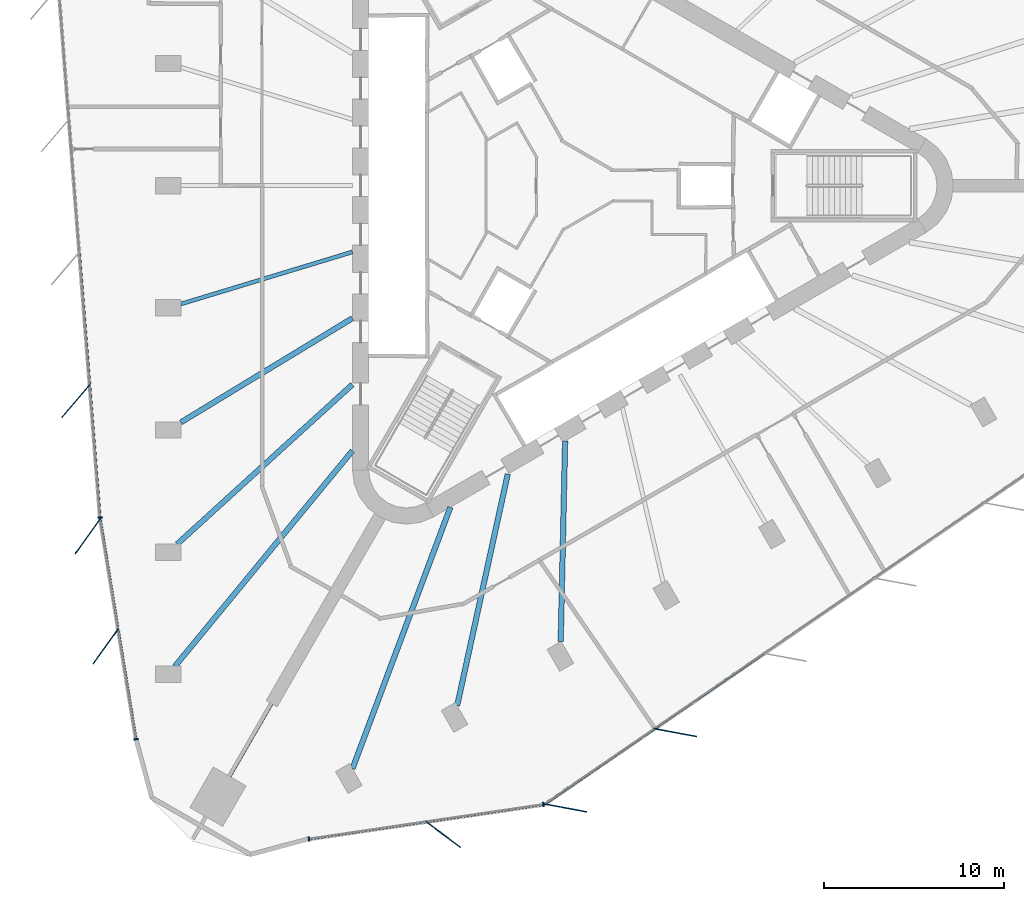
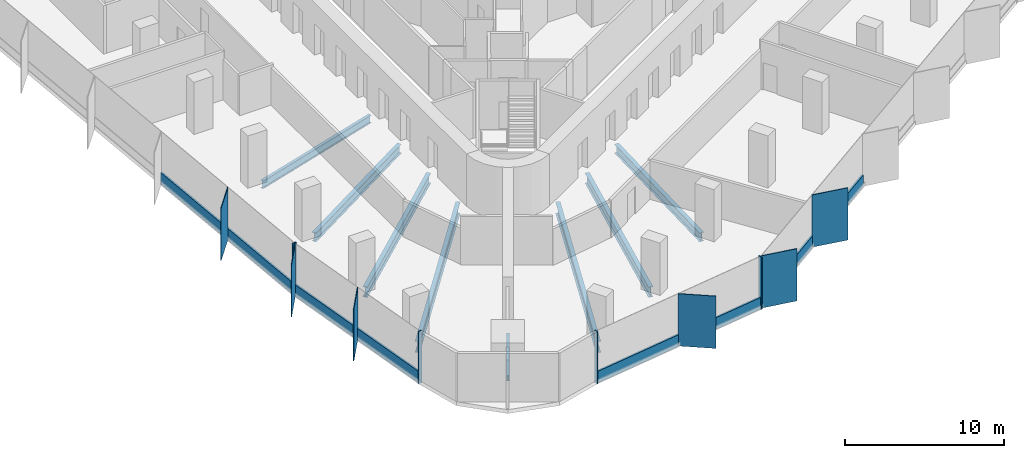
# One storey, part 2 of 13: 18 members, 8 beams, 4 elements without a shape of their own.
"""IFC4 building model written with IfcOpenShell, lengths in metres."""

from ifc_helpers import new_model, si_unit, direction, frame, origin, origin_2d, place, context, subcontext, project, spatial, rectangle, i_section, extrude, material, material_profile, profile_set, type_object, element, aggregate, save


model = new_model("IFC4")

# Units and contexts
model_context = context("Model", 3, precision=1e-05, world=origin(), true_north=direction((0.0, 1.0)))
body_context = subcontext(model_context, "Body", "Model", "MODEL_VIEW")
ifc_project = project(units=[si_unit("LENGTHUNIT", "METRE"), si_unit("AREAUNIT", "SQUARE_METRE"), si_unit("VOLUMEUNIT", "CUBIC_METRE"), si_unit("PLANEANGLEUNIT", "RADIAN"), si_unit("MASSUNIT", "GRAM", prefix="KILO")], contexts=[model_context])

# Site, building, storey
site_placement = place(None, origin())
site = spatial("IfcSite", under=ifc_project, at=site_placement, CompositionType="ELEMENT")
building_placement = place(site_placement, origin())
building = spatial("IfcBuilding", under=site, at=building_placement, Name="Tanit Gate Tower", CompositionType="ELEMENT")
storey_placement = place(building_placement, frame((0.0, 0.0, 197.199951171875)))
storey = spatial("IfcBuildingStorey", under=building, at=storey_placement, Name="L43", CompositionType="ELEMENT", Elevation=197.199951171875)

# Curtain wall, member
ifc_material_1 = material(Name="Aluminium bronze anodised and glass", Category="aluminium")
curtain_wall_type = type_object("IfcCurtainWallType", Name="Curtain wall typical mid", PredefinedType="NOTDEFINED", material=ifc_material_1)
curtain_wall_1_placement = place(storey_placement, origin())
curtain_wall_1 = element("IfcCurtainWall", 1, at=curtain_wall_1_placement, inside=storey, type_object=curtain_wall_type, Name="Curtain wall L43 W2", PredefinedType="NOTDEFINED")
ifc_material_2 = material(Name="Aluminium bronze anodised", Category="aluminium")
ifc_material_profile_1 = material_profile(ifc_material_2, rectangle(XDim=2.39990234375, YDim=0.055908203125, at=origin_2d()), Name="56x2400 bronze fin mullion")
ifc_profile_set_1 = profile_set([ifc_material_profile_1], Name="Aluminium bronze anodised")
member_type_1 = type_object("IfcMemberType", Name="FIN MULLION 56x2400 bronze", PredefinedType="MULLION", material=ifc_profile_set_1)
member_1_placement = place(storey_placement, frame((-27.427490234375, -11.9326171875, -0.300048828125), z_axis=(0.0, 0.0, 1.0), x_axis=(0.649921223903, 0.760001580735, 0.0)))
member_1 = element("IfcMember", 2, at=member_1_placement, type_object=member_type_1, Name="Fin mullion L43 W2.5", PredefinedType="MULLION", context=body_context, shape_type="SweptSolid", body=[
    extrude(rectangle(XDim=2.39990234375, YDim=0.055908203125, at=origin_2d()), origin(), (0.0, 0.0, 1.0), 4.0),
])

# Curtain wall, members
curtain_wall_2_placement = place(storey_placement, origin())
curtain_wall_2 = element("IfcCurtainWall", 3, at=curtain_wall_2_placement, inside=storey, type_object=curtain_wall_type, Name="Curtain wall L43 W3", PredefinedType="NOTDEFINED")
member_2_placement = place(storey_placement, frame((-26.7666015625, -19.4287109375, -0.300048828125), z_axis=(0.0, 0.0, 1.0), x_axis=(0.584613599563, 0.8113118631, 0.0)))
member_2 = element("IfcMember", 4, at=member_2_placement, type_object=member_type_1, Name="Fin mullion L43 W3.1", PredefinedType="MULLION", context=body_context, shape_type="SweptSolid", body=[
    extrude(rectangle(XDim=2.39990234375, YDim=0.055908203125, at=origin_2d()), origin(), (0.0, 0.0, 1.0), 4.0),
])
member_3_placement = place(storey_placement, frame((-25.775146484375, -25.532958984375, -0.300048828125), z_axis=(0.0, 0.0, 1.0), x_axis=(0.584613599563, 0.8113118631, 0.0)))
member_3 = element("IfcMember", 5, at=member_3_placement, type_object=member_type_1, Name="Fin mullion L43 W3.2", PredefinedType="MULLION", context=body_context, shape_type="SweptSolid", body=[
    extrude(rectangle(XDim=2.39990234375, YDim=0.055908203125, at=origin_2d()), origin(), (0.0, 0.0, 1.0), 4.0),
])

# Curtain wall, member
curtain_wall_3_placement = place(storey_placement, origin())
curtain_wall_3 = element("IfcCurtainWall", 6, at=curtain_wall_3_placement, inside=storey, type_object=curtain_wall_type, Name="Curtain wall L43 SE1", PredefinedType="NOTDEFINED")
member_4_placement = place(storey_placement, frame((-7.0673828125, -35.96044921875, -0.300048828125), z_axis=(0.0, 0.0, 1.0), x_axis=(-0.802457483443, 0.596709298794, 0.0)))
member_4 = element("IfcMember", 7, at=member_4_placement, type_object=member_type_1, Name="Fin mullion L43 SE1.2", PredefinedType="MULLION", context=body_context, shape_type="SweptSolid", body=[
    extrude(rectangle(XDim=2.39990234375, YDim=0.055908203125, at=origin_2d()), origin(), (0.0, 0.0, 1.0), 4.0),
])

# Curtain wall, members
curtain_wall_4_placement = place(storey_placement, origin())
curtain_wall_4 = element("IfcCurtainWall", 8, at=curtain_wall_4_placement, inside=storey, type_object=curtain_wall_type, Name="Curtain wall L43 SE2", PredefinedType="NOTDEFINED")
member_5_placement = place(storey_placement, frame((-0.287109375, -34.489013671875, -0.300048828125), z_axis=(0.0, 0.0, 1.0), x_axis=(-0.983141287785, 0.182847499991, 0.0)))
member_5 = element("IfcMember", 9, at=member_5_placement, type_object=member_type_1, Name="Fin mullion L43 SE2.1", PredefinedType="MULLION", context=body_context, shape_type="SweptSolid", body=[
    extrude(rectangle(XDim=2.39990234375, YDim=0.055908203125, at=origin_2d()), origin(), (0.0, 0.0, 1.0), 4.0),
])
member_6_placement = place(storey_placement, frame((5.796630859375, -30.3134765625, -0.300048828125), z_axis=(0.0, 0.0, 1.0), x_axis=(-0.983141287785, 0.182847499991, 0.0)))
member_6 = element("IfcMember", 10, at=member_6_placement, type_object=member_type_1, Name="Fin mullion L43 SE2.2", PredefinedType="MULLION", context=body_context, shape_type="SweptSolid", body=[
    extrude(rectangle(XDim=2.39990234375, YDim=0.055908203125, at=origin_2d()), origin(), (0.0, 0.0, 1.0), 4.0),
])

# Member
ifc_material_3 = material(Name="Aluminium bronze anodised", Category="aluminium")
ifc_material_profile_2 = material_profile(ifc_material_3, rectangle(XDim=0.260009765625, YDim=0.080078125, at=origin_2d()), Name="80x260 bronze mullion")
ifc_profile_set_2 = profile_set([ifc_material_profile_2], Name="Aluminium bronze anodised")
member_type_2 = type_object("IfcMemberType", Name="Mullion 80x260 typical mid", PredefinedType="MULLION", material=ifc_profile_set_2)
member_7_placement = place(storey_placement, frame((-26.0869140625, -18.39306640625, -0.300048828125), z_axis=(0.0, 0.0, 1.0), x_axis=(0.996965976109, 0.077838566791, 0.0)))
member_7 = element("IfcMember", 11, at=member_7_placement, type_object=member_type_2, Name="Mullion L43 W2.6", PredefinedType="MULLION", context=body_context, shape_type="SweptSolid", body=[
    extrude(rectangle(XDim=0.260009765625, YDim=0.080078125, at=origin_2d()), origin(), (0.0, 0.0, 1.0), 4.0),
])

member_8_placement = place(storey_placement, frame((-24.0947265625, -30.6806640625, -0.300048828125), z_axis=(0.0, 0.0, 1.0), x_axis=(0.98706836068, 0.16029987943, 0.0)))
member_8 = element("IfcMember", 12, at=member_8_placement, type_object=member_type_2, Name="Mullion L43 W3.3", PredefinedType="MULLION", context=body_context, shape_type="SweptSolid", body=[
    extrude(rectangle(XDim=0.260009765625, YDim=0.080078125, at=origin_2d()), origin(), (0.0, 0.0, 1.0), 4.0),
])

member_9_placement = place(storey_placement, frame((-14.508056640625, -36.212158203125, -0.300048828125), z_axis=(0.0, 0.0, 1.0), x_axis=(-0.145485936582, 0.98936031973, 0.0)))
member_9 = element("IfcMember", 13, at=member_9_placement, type_object=member_type_2, Name="Mullion L43 SE1.1", PredefinedType="MULLION", context=body_context, shape_type="SweptSolid", body=[
    extrude(rectangle(XDim=0.260009765625, YDim=0.080078125, at=origin_2d()), origin(), (0.0, 0.0, 1.0), 4.0),
])

member_10_placement = place(storey_placement, frame((-1.5185546875, -34.302001953125, -0.300048828125), z_axis=(0.0, 0.0, 1.0), x_axis=(-0.145485936582, 0.98936031973, 0.0)))
member_10 = element("IfcMember", 14, at=member_10_placement, type_object=member_type_2, Name="Mullion L43 SE1.3", PredefinedType="MULLION", context=body_context, shape_type="SweptSolid", body=[
    extrude(rectangle(XDim=0.260009765625, YDim=0.080078125, at=origin_2d()), origin(), (0.0, 0.0, 1.0), 4.0),
])

# Beams
ifc_material_4 = material(Name="Steel S355", Category="steel")
ifc_material_profile_3 = material_profile(ifc_material_4, i_section(OverallWidth=0.300048828125, OverallDepth=0.68994140625, WebThickness=0.014404296875, FlangeThickness=0.027099609375, FilletRadius=0.027099609375, at=origin_2d()), Name="HEA 700")
ifc_profile_set_3 = profile_set([ifc_material_profile_3], Name="Steel S355")
beam_type_1 = type_object("IfcBeamType", Name="RADIAL GIRDER HEA 700 S355", PredefinedType="BEAM", material=ifc_profile_set_3)
beam_1_placement = place(storey_placement, frame((-21.605712890625, -13.116943359375, -0.64501953125), z_axis=(0.854799691716, 0.518958078309, 0.0), x_axis=(-0.518958078309, 0.854799691716, 0.0)))
element("IfcBeam", 15, at=beam_1_placement, inside=storey, type_object=beam_type_1, Name="RADIAL GIRDER", PredefinedType="BEAM", context=body_context, shape_type="SweptSolid", body=[
    extrude(i_section(OverallWidth=0.300048828125, OverallDepth=0.68994140625, WebThickness=0.014404296875, FlangeThickness=0.027099609375, FilletRadius=0.027099609375, at=origin_2d()), origin(), (0.0, 0.0, 1.0), 11.117919921875),
])
beam_2_placement = place(storey_placement, frame((-0.556884765625, -25.269775390625, -0.64501953125), z_axis=(0.022024571196, 0.999757429712, 0.0), x_axis=(-0.999757429712, 0.022024571196, 0.0)))
element("IfcBeam", 16, at=beam_2_placement, inside=storey, type_object=beam_type_1, Name="RADIAL GIRDER", PredefinedType="BEAM", context=body_context, shape_type="SweptSolid", body=[
    extrude(i_section(OverallWidth=0.300048828125, OverallDepth=0.68994140625, WebThickness=0.014404296875, FlangeThickness=0.027099609375, FilletRadius=0.027099609375, at=origin_2d()), origin(), (0.0, 0.0, 1.0), 11.1181640625),
])
ifc_material_5 = material(Name="Steel S355", Category="steel")
ifc_material_profile_4 = material_profile(ifc_material_5, i_section(OverallWidth=0.300048828125, OverallDepth=0.7900390625, WebThickness=0.014892578125, FlangeThickness=0.028076171875, FilletRadius=0.030029296875, at=origin_2d()), Name="HEA 800")
ifc_profile_set_4 = profile_set([ifc_material_profile_4], Name="Steel S355")
beam_type_2 = type_object("IfcBeamType", Name="RADIAL GIRDER HEA 800 S355", PredefinedType="BEAM", material=ifc_profile_set_4)
beam_3_placement = place(storey_placement, frame((-21.811767578125, -19.86279296875, -0.695068359375), z_axis=(0.739370310624, 0.673299000273, 0.0), x_axis=(-0.673299000273, 0.739370310624, 0.0)))
element("IfcBeam", 17, at=beam_3_placement, inside=storey, type_object=beam_type_2, Name="RADIAL GIRDER", PredefinedType="BEAM", context=body_context, shape_type="SweptSolid", body=[
    extrude(i_section(OverallWidth=0.300048828125, OverallDepth=0.7900390625, WebThickness=0.014892578125, FlangeThickness=0.028076171875, FilletRadius=0.030029296875, at=origin_2d()), origin(), (0.0, 0.0, 1.0), 13.13232421875),
])
beam_4_placement = place(storey_placement, frame((-6.2958984375, -28.821044921875, -0.695068359375), z_axis=(0.213417442775, 0.976961102153, 0.0), x_axis=(-0.976961102153, 0.213417442775, 0.0)))
element("IfcBeam", 18, at=beam_4_placement, inside=storey, type_object=beam_type_2, Name="RADIAL GIRDER", PredefinedType="BEAM", context=body_context, shape_type="SweptSolid", body=[
    extrude(i_section(OverallWidth=0.300048828125, OverallDepth=0.7900390625, WebThickness=0.014892578125, FlangeThickness=0.028076171875, FilletRadius=0.030029296875, at=origin_2d()), origin(), (0.0, 0.0, 1.0), 13.132568359375),
])
ifc_material_6 = material(Name="Steel S355", Category="steel")
ifc_material_profile_5 = material_profile(ifc_material_6, i_section(OverallWidth=0.300048828125, OverallDepth=0.889892578125, WebThickness=0.01611328125, FlangeThickness=0.030029296875, FilletRadius=0.030029296875, at=origin_2d()), Name="HEA 900")
ifc_profile_set_5 = profile_set([ifc_material_profile_5], Name="Steel S355")
beam_type_3 = type_object("IfcBeamType", Name="RADIAL GIRDER HEA 900 S355", PredefinedType="BEAM", material=ifc_profile_set_5)
for number, where, z_axis, x_axis, name in (
    (19, (-21.935302734375, -26.6337890625, -0.744873046875), (0.635736575047, 0.771906087, 0.0), (-0.771906087, 0.635736575047, 0.0), "RADIAL GIRDER"),
    (20, (-12.09814453125, -32.3134765625, -0.744873046875), (0.350626951339, 0.936515211299, 0.0), (-0.936515211299, 0.350626951339, 0.0), "RADIAL GIRDER"),
):
    element("IfcBeam", number, at=place(storey_placement, frame(where, z_axis=z_axis, x_axis=x_axis)), inside=storey, type_object=beam_type_3, Name=name, PredefinedType="BEAM", context=body_context, shape_type="SweptSolid", body=[
        extrude(i_section(OverallWidth=0.300048828125, OverallDepth=0.889892578125, WebThickness=0.01611328125, FlangeThickness=0.030029296875, FilletRadius=0.030029296875, at=origin_2d()), origin(), (0.0, 0.0, 1.0), 15.467529296875),
    ])
ifc_material_7 = material(Name="Steel S355", Category="steel")
ifc_material_profile_6 = material_profile(ifc_material_7, i_section(OverallWidth=0.179931640625, OverallDepth=0.39990234375, WebThickness=0.008544921875, FlangeThickness=0.013427734375, FilletRadius=0.02099609375, at=origin_2d()), Name="IPE 400")
ifc_profile_set_6 = profile_set([ifc_material_profile_6], Name="Steel S355")
beam_type_4 = type_object("IfcBeamType", Name="RADIAL GIRDER IPE 400 S355", PredefinedType="BEAM", material=ifc_profile_set_6)
beam_5_placement = place(storey_placement, frame((-18.9033203125, -32.74169921875, -0.5), z_axis=(0.499984536904, 0.866034331223, 0.0), x_axis=(-0.866034331223, 0.499984536904, 0.0)))
element("IfcBeam", 21, at=beam_5_placement, inside=storey, type_object=beam_type_4, Name="RADIAL GIRDER", PredefinedType="BEAM", context=body_context, shape_type="SweptSolid", body=[
    extrude(i_section(OverallWidth=0.179931640625, OverallDepth=0.39990234375, WebThickness=0.008544921875, FlangeThickness=0.013427734375, FilletRadius=0.02099609375, at=origin_2d()), origin(), (0.0, 0.0, 1.0), 4.650146484375),
])
ifc_material_8 = material(Name="Steel S355", Category="steel")
ifc_material_profile_7 = material_profile(ifc_material_8, i_section(OverallWidth=0.219970703125, OverallDepth=0.60009765625, WebThickness=0.011962890625, FlangeThickness=0.01904296875, FilletRadius=0.02392578125, at=origin_2d()), Name="IPE 600")
ifc_profile_set_7 = profile_set([ifc_material_profile_7], Name="Steel S355")
beam_type_5 = type_object("IfcBeamType", Name="RADIAL GIRDER IPE 600 S355", PredefinedType="BEAM", material=ifc_profile_set_7)
beam_6_placement = place(storey_placement, frame((-21.605712890625, -6.55859375, -0.599853515625), z_axis=(0.956881430709, 0.290478790215, 0.0), x_axis=(-0.290478790215, 0.956881430709, 0.0)))
element("IfcBeam", 22, at=beam_6_placement, inside=storey, type_object=beam_type_5, Name="RADIAL GIRDER", PredefinedType="BEAM", context=body_context, shape_type="SweptSolid", body=[
    extrude(i_section(OverallWidth=0.219970703125, OverallDepth=0.60009765625, WebThickness=0.011962890625, FlangeThickness=0.01904296875, FilletRadius=0.02392578125, at=origin_2d()), origin(), (0.0, 0.0, 1.0), 9.931884765625),
])

# Member
ifc_material_9 = material(Name="Aluminium bronze anodised", Category="aluminium")
ifc_material_profile_8 = material_profile(ifc_material_9, rectangle(XDim=0.139892578125, YDim=0.89990234375, at=origin_2d()), Name="140x900 bronze transom")
ifc_profile_set_8 = profile_set([ifc_material_profile_8], Name="Aluminium bronze anodised")
member_type_3 = type_object("IfcMemberType", Name="Transom 140x900 typical mid", PredefinedType="USERDEFINED", material=ifc_profile_set_8)
member_11_placement = place(storey_placement, frame((-27.232421875, -3.72021484375, 0.150146484375), z_axis=(0.077837277659, -0.996966076758, 0.0), x_axis=(0.996966076758, 0.077837277659, 0.0)))
member_11 = element("IfcMember", 23, at=member_11_placement, type_object=member_type_3, Name="Transom L43 W2.4", ObjectType="TRANSOM", PredefinedType="USERDEFINED", context=body_context, shape_type="SweptSolid", body=[
    extrude(rectangle(XDim=0.139892578125, YDim=0.89990234375, at=origin_2d()), origin(), (0.0, 0.0, 1.0), 7.298828125),
])

member_12_placement = place(storey_placement, frame((-26.658203125, -11.07666015625, 0.150146484375), z_axis=(0.077837277659, -0.996966076758, 0.0), x_axis=(0.996966076758, 0.077837277659, 0.0)))
member_12 = element("IfcMember", 24, at=member_12_placement, type_object=member_type_3, Name="Transom L43 W2.5", ObjectType="TRANSOM", PredefinedType="USERDEFINED", context=body_context, shape_type="SweptSolid", body=[
    extrude(rectangle(XDim=0.139892578125, YDim=0.89990234375, at=origin_2d()), origin(), (0.0, 0.0, 1.0), 7.298828125),
])

aggregate(curtain_wall_1, [member_1, member_7, member_11, member_12])

member_13_placement = place(storey_placement, frame((-26.071044921875, -18.511962890625, 0.150146484375), z_axis=(0.160304982691, -0.987067531897, 0.0), x_axis=(0.987067531897, 0.160304982691, 0.0)))
member_13 = element("IfcMember", 25, at=member_13_placement, type_object=member_type_3, Name="Transom L43 W3.1", ObjectType="TRANSOM", PredefinedType="USERDEFINED", context=body_context, shape_type="SweptSolid", body=[
    extrude(rectangle(XDim=0.139892578125, YDim=0.89990234375, at=origin_2d()), origin(), (0.0, 0.0, 1.0), 6.10400390625),
])

member_14_placement = place(storey_placement, frame((-25.07958984375, -24.615966796875, 0.150146484375), z_axis=(0.160304982691, -0.987067531897, 0.0), x_axis=(0.987067531897, 0.160304982691, 0.0)))
member_14 = element("IfcMember", 26, at=member_14_placement, type_object=member_type_3, Name="Transom L43 W3.2", ObjectType="TRANSOM", PredefinedType="USERDEFINED", context=body_context, shape_type="SweptSolid", body=[
    extrude(rectangle(XDim=0.139892578125, YDim=0.89990234375, at=origin_2d()), origin(), (0.0, 0.0, 1.0), 6.10400390625),
])

aggregate(curtain_wall_2, [member_2, member_3, member_8, member_13, member_14])

member_15_placement = place(storey_placement, frame((-14.468505859375, -36.206298828125, 0.150146484375), z_axis=(0.989355947186, 0.145515668463, 0.0), x_axis=(-0.145515668463, 0.989355947186, 0.0)))
member_15 = element("IfcMember", 27, at=member_15_placement, type_object=member_type_3, Name="Transom L43 SE1.1", ObjectType="TRANSOM", PredefinedType="USERDEFINED", context=body_context, shape_type="SweptSolid", body=[
    extrude(rectangle(XDim=0.139892578125, YDim=0.89990234375, at=origin_2d()), origin(), (0.0, 0.0, 1.0), 6.484619140625),
])

member_16_placement = place(storey_placement, frame((-7.9736328125, -35.251220703125, 0.150146484375), z_axis=(0.989355947186, 0.145515668463, 0.0), x_axis=(-0.145515668463, 0.989355947186, 0.0)))
member_16 = element("IfcMember", 28, at=member_16_placement, type_object=member_type_3, Name="Transom L43 SE1.2", ObjectType="TRANSOM", PredefinedType="USERDEFINED", context=body_context, shape_type="SweptSolid", body=[
    extrude(rectangle(XDim=0.139892578125, YDim=0.89990234375, at=origin_2d()), origin(), (0.0, 0.0, 1.0), 6.484619140625),
])

aggregate(curtain_wall_3, [member_9, member_4, member_10, member_15, member_16])

member_17_placement = place(storey_placement, frame((-1.4130859375, -34.250732421875, 0.150146484375), z_axis=(0.824481834567, 0.565888420512, 0.0), x_axis=(-0.565888420512, 0.824481834567, 0.0)))
member_17 = element("IfcMember", 29, at=member_17_placement, type_object=member_type_3, Name="Transom L43 SE2.1", ObjectType="TRANSOM", PredefinedType="USERDEFINED", context=body_context, shape_type="SweptSolid", body=[
    extrude(rectangle(XDim=0.139892578125, YDim=0.89990234375, at=origin_2d()), origin(), (0.0, 0.0, 1.0), 7.298828125),
])

member_18_placement = place(storey_placement, frame((4.670654296875, -30.0751953125, 0.150146484375), z_axis=(0.824481834567, 0.565888420512, 0.0), x_axis=(-0.565888420512, 0.824481834567, 0.0)))
member_18 = element("IfcMember", 30, at=member_18_placement, type_object=member_type_3, Name="Transom L43 SE2.2", ObjectType="TRANSOM", PredefinedType="USERDEFINED", context=body_context, shape_type="SweptSolid", body=[
    extrude(rectangle(XDim=0.139892578125, YDim=0.89990234375, at=origin_2d()), origin(), (0.0, 0.0, 1.0), 7.298828125),
])

aggregate(curtain_wall_4, [member_5, member_6, member_17, member_18])

save(model, "model.ifc")
